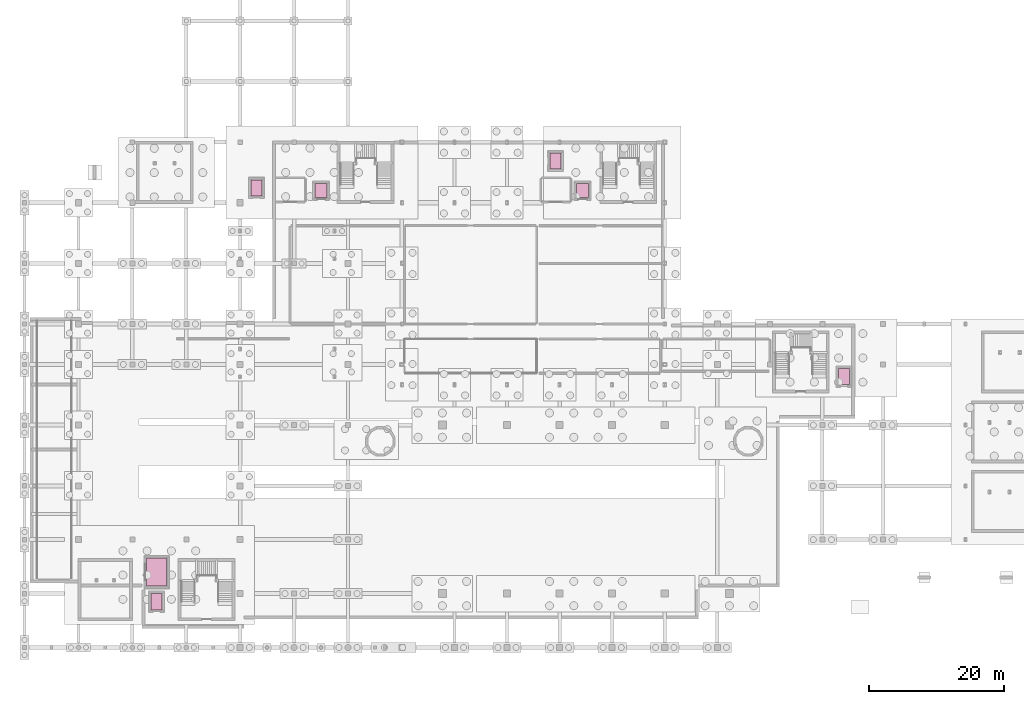
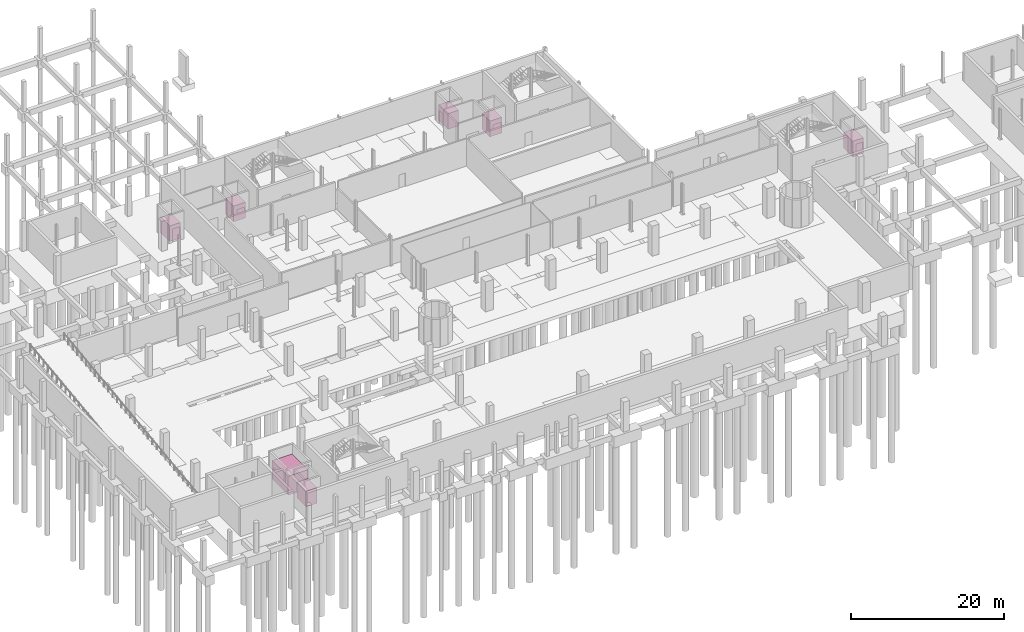
# One storey, part 32 of 32: 7 transport elements.
"""IFC4 building model written with IfcOpenShell, lengths in metres."""

from ifc_helpers import new_model, si_unit, derived_unit, direction, frame, origin, origin_2d, place, context, subcontext, project, spatial, rectangle, extrude, material, type_object, element, save


model = new_model("IFC4")

# Units and contexts
model_context = context("Model", 3, precision=1e-05, world=origin(), true_north=direction((0.0, 1.0)))
body_context = subcontext(model_context, "Body", "Model", "MODEL_VIEW")
ifc_project = project(units=[si_unit("LENGTHUNIT", "METRE"), si_unit("AREAUNIT", "SQUARE_METRE"), si_unit("VOLUMEUNIT", "CUBIC_METRE"), si_unit("PLANEANGLEUNIT", "RADIAN"), si_unit("MASSUNIT", "GRAM", prefix="KILO"), derived_unit("THERMALTRANSMITTANCEUNIT", [(si_unit("POWERUNIT", "WATT"), 1), (si_unit("LENGTHUNIT", "METRE"), -2), (si_unit("THERMODYNAMICTEMPERATUREUNIT", "KELVIN"), -1)])], contexts=[model_context])

# Site, building, storey
site_placement = place(None, origin())
site = spatial("IfcSite", under=ifc_project, at=site_placement, CompositionType="ELEMENT")
building_placement = place(site_placement, origin())
building = spatial("IfcBuilding", under=site, at=building_placement, Name="Nallur Shell Playhouse", CompositionType="ELEMENT")
storey_placement = place(building_placement, frame((0.0, 0.0, -4.800048828125)))
storey = spatial("IfcBuildingStorey", under=building, at=storey_placement, Name="B1", CompositionType="ELEMENT", Elevation=-4.800048828125)

# Transport elements
ifc_material = material(Name="Stainless Steel Brushed Car Finish", Category="steel")
transport_element_type_1 = type_object("IfcTransportElementType", Name="TP-CAR-FIRE", PredefinedType="ELEVATOR", material=ifc_material)
for number, where, z_axis, x_axis, name in (
    (1, (52.0, 75.800048828125, 0.0), (0.0, 0.0, 1.0), (1.0, 0.0, 0.0), "Fireman's Lift FL-1 elevator car (B1 to RF1)"),
    (2, (90.800048828125, 75.800048828125, 0.0), (0.0, 0.0, 1.0), (1.0, 0.0, 0.0), "Fireman's Lift FL-2 elevator car (B1 to RF2)"),
):
    element("IfcTransportElement", number, at=place(storey_placement, frame(where, z_axis=z_axis, x_axis=x_axis)), inside=storey, type_object=transport_element_type_1, Name=name, PredefinedType="ELEVATOR", context=body_context, shape_type="SweptSolid", body=[
        extrude(rectangle(XDim=1.800048828125, YDim=2.10009765625, at=origin_2d()), origin(), (0.0, 0.0, 1.0), 2.5),
    ])
transport_element_type_2 = type_object("IfcTransportElementType", Name="TP-CAR-PASS", PredefinedType="ELEVATOR", material=ifc_material)
for number, where, z_axis, x_axis, name in (
    (3, (27.60009765625, 14.800048828125, 0.0), (0.0, 0.0, 1.0), (1.0, 0.0, 0.0), "Passenger Lift PL-1 elevator car (B1 to L05)"),
    (4, (129.60009765625, 48.199951171875, 0.0), (0.0, 0.0, 1.0), (1.0, 0.0, 0.0), "Passenger Lift PL-2 elevator car (B1 to L04)"),
    (5, (42.39990234375, 76.199951171875, 0.0), (0.0, 0.0, 1.0), (1.0, 0.0, 0.0), "Passenger Lift PL-3 elevator car (B1 to L06)"),
    (6, (86.800048828125, 80.199951171875, 0.0), (0.0, 0.0, 1.0), (1.0, 0.0, 0.0), "Passenger Lift PL-4 elevator car (B1 to L06)"),
):
    element("IfcTransportElement", number, at=place(storey_placement, frame(where, z_axis=z_axis, x_axis=x_axis)), inside=storey, type_object=transport_element_type_2, Name=name, PredefinedType="ELEVATOR", context=body_context, shape_type="SweptSolid", body=[
        extrude(rectangle(XDim=1.60009765625, YDim=2.39990234375, at=origin_2d()), origin(), (0.0, 0.0, 1.0), 2.5),
    ])
transport_element_type_3 = type_object("IfcTransportElementType", Name="TP-CAR-SCENERY", PredefinedType="ELEVATOR", material=ifc_material)
transport_element_placement = place(storey_placement, frame((27.60009765625, 19.199951171875, 0.0), z_axis=(0.0, 0.0, 1.0), x_axis=(1.0, 0.0, 0.0)))
element("IfcTransportElement", 7, at=transport_element_placement, inside=storey, type_object=transport_element_type_3, Name="Scenery Freight Lift SL-1 elevator car (B1 to L05)", PredefinedType="ELEVATOR", context=body_context, shape_type="SweptSolid", body=[
    extrude(rectangle(XDim=3.0, YDim=4.199951171875, at=origin_2d()), origin(), (0.0, 0.0, 1.0), 3.0),
])

save(model, "model.ifc")
